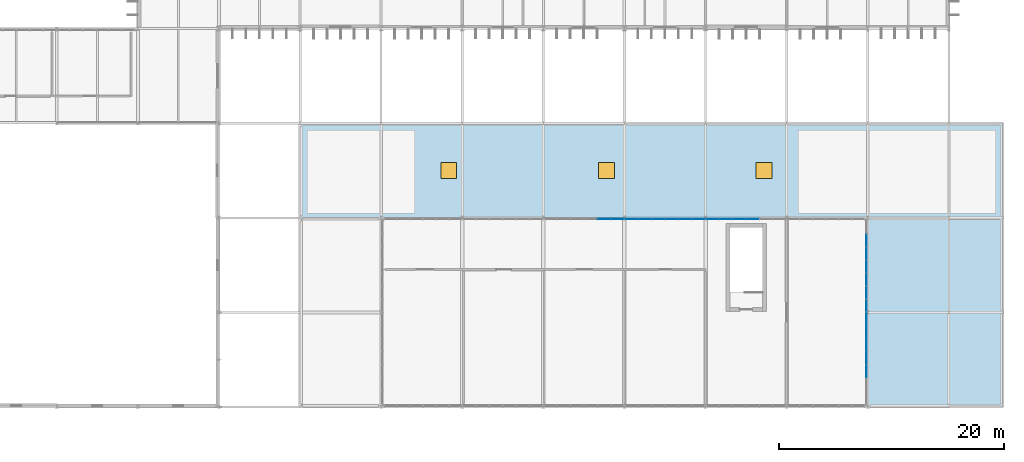
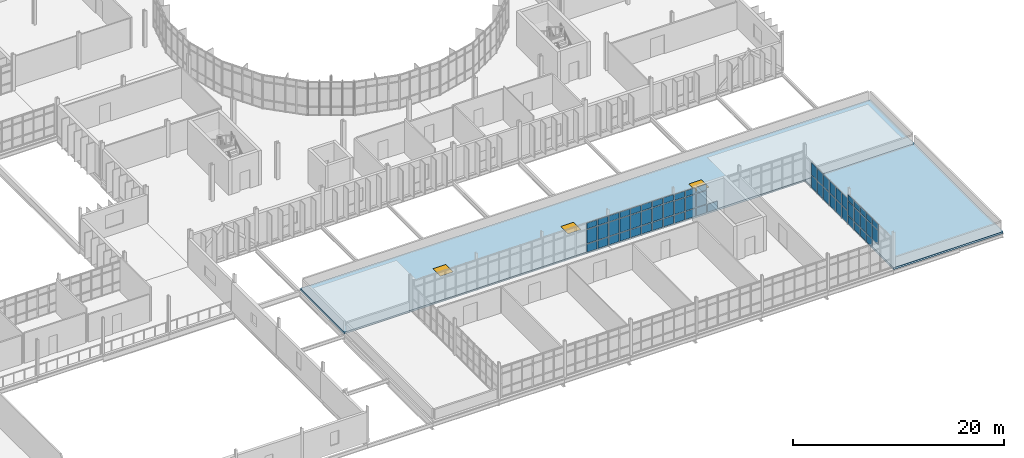
# One storey, part 80 of 119: 60 plates, 3 windows, 2 slabs, 3 openings, 5 elements without a shape of their own.
"""IFC4 building model written with IfcOpenShell, lengths in metres."""

from ifc_helpers import new_model, si_unit, direction, frame, origin, origin_2d, place, context, subcontext, project, spatial, polyline, rectangle, outline, extrude, material, layer, layer_set, type_object, element, fill, aggregate, save


model = new_model("IFC4")

# Units and contexts
model_context = context("Model", 3, precision=1e-05, world=origin(), true_north=direction((0.0, 1.0)))
body_context = subcontext(model_context, "Body", "Model", "MODEL_VIEW")
ifc_project = project(units=[si_unit("LENGTHUNIT", "METRE"), si_unit("AREAUNIT", "SQUARE_METRE"), si_unit("VOLUMEUNIT", "CUBIC_METRE"), si_unit("PLANEANGLEUNIT", "RADIAN"), si_unit("MASSUNIT", "GRAM", prefix="KILO")], contexts=[model_context])

# Site, building, storey
site_placement = place(None, origin())
site = spatial("IfcSite", under=ifc_project, at=site_placement, CompositionType="ELEMENT")
building_placement = place(site_placement, origin())
building = spatial("IfcBuilding", under=site, at=building_placement, Name="Qelthora Terrace Specialist Clinic", CompositionType="ELEMENT")
storey_placement = place(building_placement, frame((0.0, 0.0, 4.800048828125)))
storey = spatial("IfcBuildingStorey", under=building, at=storey_placement, Name="L01", CompositionType="ELEMENT", Elevation=4.800048828125)

# Curtain wall, plates
ifc_material_1 = material(Name="Aluminium anodized bronze", Category="aluminium")
curtain_wall_type = type_object("IfcCurtainWallType", Name="CW-CONS-UP", PredefinedType="NOTDEFINED", material=ifc_material_1)
curtain_wall_1_placement = place(storey_placement, origin())
curtain_wall_1 = element("IfcCurtainWall", 1, at=curtain_wall_1_placement, inside=storey, type_object=curtain_wall_type, Name="Curtain wall CW-L01-242", PredefinedType="NOTDEFINED")
ifc_material_2 = material(Name="Low-E triple-silver insulating glass", Category="glass")
ifc_layer_1 = layer(ifc_material_2, 0.035888671875)
ifc_layer_set_1 = layer_set([ifc_layer_1], Name="Low-E triple-silver insulating glass")
plate_type = type_object("IfcPlateType", Name="CWP-IGU-36", PredefinedType="CURTAIN_PANEL", material=ifc_layer_set_1)
plate_1_placement = place(storey_placement, frame((127.800048828125, 16.679931640625, 0.0849609375), z_axis=(0.0, 0.0, 1.0), x_axis=(1.0, 0.0, 0.0)))
plate_1 = element("IfcPlate", 2, at=plate_1_placement, type_object=plate_type, Name="CW-L01-242 glazed panel 13", PredefinedType="CURTAIN_PANEL", context=body_context, shape_type="SweptSolid", body=[
    extrude(rectangle(XDim=1.10009765625, YDim=0.035888671875, at=origin_2d()), origin(), (0.0, 0.0, 1.0), 0.919921875),
])
plate_2_placement = place(storey_placement, frame((127.800048828125, 16.679931640625, 1.0947265625), z_axis=(0.0, 0.0, 1.0), x_axis=(1.0, 0.0, 0.0)))
plate_2 = element("IfcPlate", 3, at=plate_2_placement, type_object=plate_type, Name="CW-L01-242 glazed panel 14", PredefinedType="CURTAIN_PANEL", context=body_context, shape_type="SweptSolid", body=[
    extrude(rectangle(XDim=1.10009765625, YDim=0.035888671875, at=origin_2d()), origin(), (0.0, 0.0, 1.0), 1.589111328125),
])
plate_3_placement = place(storey_placement, frame((127.800048828125, 16.679931640625, 2.77392578125), z_axis=(0.0, 0.0, 1.0), x_axis=(1.0, 0.0, 0.0)))
plate_3 = element("IfcPlate", 4, at=plate_3_placement, type_object=plate_type, Name="CW-L01-242 glazed panel 15", PredefinedType="CURTAIN_PANEL", context=body_context, shape_type="SweptSolid", body=[
    extrude(rectangle(XDim=1.10009765625, YDim=0.035888671875, at=origin_2d()), origin(), (0.0, 0.0, 1.0), 0.669921875),
])
plate_4_placement = place(storey_placement, frame((129.0, 16.679931640625, 0.0849609375), z_axis=(0.0, 0.0, 1.0), x_axis=(1.0, 0.0, 0.0)))
plate_4 = element("IfcPlate", 5, at=plate_4_placement, type_object=plate_type, Name="CW-L01-242 glazed panel 16", PredefinedType="CURTAIN_PANEL", context=body_context, shape_type="SweptSolid", body=[
    extrude(rectangle(XDim=1.10009765625, YDim=0.035888671875, at=origin_2d()), origin(), (0.0, 0.0, 1.0), 0.919921875),
])
plate_5_placement = place(storey_placement, frame((129.0, 16.679931640625, 1.0947265625), z_axis=(0.0, 0.0, 1.0), x_axis=(1.0, 0.0, 0.0)))
plate_5 = element("IfcPlate", 6, at=plate_5_placement, type_object=plate_type, Name="CW-L01-242 glazed panel 17", PredefinedType="CURTAIN_PANEL", context=body_context, shape_type="SweptSolid", body=[
    extrude(rectangle(XDim=1.10009765625, YDim=0.035888671875, at=origin_2d()), origin(), (0.0, 0.0, 1.0), 1.589111328125),
])
plate_6_placement = place(storey_placement, frame((129.0, 16.679931640625, 2.77392578125), z_axis=(0.0, 0.0, 1.0), x_axis=(1.0, 0.0, 0.0)))
plate_6 = element("IfcPlate", 7, at=plate_6_placement, type_object=plate_type, Name="CW-L01-242 glazed panel 18", PredefinedType="CURTAIN_PANEL", context=body_context, shape_type="SweptSolid", body=[
    extrude(rectangle(XDim=1.10009765625, YDim=0.035888671875, at=origin_2d()), origin(), (0.0, 0.0, 1.0), 0.669921875),
])
aggregate(curtain_wall_1, [plate_1, plate_2, plate_3, plate_4, plate_5, plate_6])

curtain_wall_2_placement = place(storey_placement, origin())
curtain_wall_2 = element("IfcCurtainWall", 8, at=curtain_wall_2_placement, inside=storey, type_object=curtain_wall_type, Name="Curtain wall CW-L01-243", PredefinedType="NOTDEFINED")
plate_7_placement = place(storey_placement, frame((130.199951171875, 16.679931640625, 0.0849609375), z_axis=(0.0, 0.0, 1.0), x_axis=(1.0, 0.0, 0.0)))
plate_7 = element("IfcPlate", 9, at=plate_7_placement, type_object=plate_type, Name="CW-L01-243 glazed panel 1", PredefinedType="CURTAIN_PANEL", context=body_context, shape_type="SweptSolid", body=[
    extrude(rectangle(XDim=1.10009765625, YDim=0.035888671875, at=origin_2d()), origin(), (0.0, 0.0, 1.0), 0.919921875),
])
plate_8_placement = place(storey_placement, frame((130.199951171875, 16.679931640625, 1.0947265625), z_axis=(0.0, 0.0, 1.0), x_axis=(1.0, 0.0, 0.0)))
plate_8 = element("IfcPlate", 10, at=plate_8_placement, type_object=plate_type, Name="CW-L01-243 glazed panel 2", PredefinedType="CURTAIN_PANEL", context=body_context, shape_type="SweptSolid", body=[
    extrude(rectangle(XDim=1.10009765625, YDim=0.035888671875, at=origin_2d()), origin(), (0.0, 0.0, 1.0), 1.589111328125),
])
plate_9_placement = place(storey_placement, frame((130.199951171875, 16.679931640625, 2.77392578125), z_axis=(0.0, 0.0, 1.0), x_axis=(1.0, 0.0, 0.0)))
plate_9 = element("IfcPlate", 11, at=plate_9_placement, type_object=plate_type, Name="CW-L01-243 glazed panel 3", PredefinedType="CURTAIN_PANEL", context=body_context, shape_type="SweptSolid", body=[
    extrude(rectangle(XDim=1.10009765625, YDim=0.035888671875, at=origin_2d()), origin(), (0.0, 0.0, 1.0), 0.669921875),
])
plate_10_placement = place(storey_placement, frame((131.39990234375, 16.679931640625, 0.0849609375), z_axis=(0.0, 0.0, 1.0), x_axis=(1.0, 0.0, 0.0)))
plate_10 = element("IfcPlate", 12, at=plate_10_placement, type_object=plate_type, Name="CW-L01-243 glazed panel 4", PredefinedType="CURTAIN_PANEL", context=body_context, shape_type="SweptSolid", body=[
    extrude(rectangle(XDim=1.10009765625, YDim=0.035888671875, at=origin_2d()), origin(), (0.0, 0.0, 1.0), 0.919921875),
])
plate_11_placement = place(storey_placement, frame((131.39990234375, 16.679931640625, 1.0947265625), z_axis=(0.0, 0.0, 1.0), x_axis=(1.0, 0.0, 0.0)))
plate_11 = element("IfcPlate", 13, at=plate_11_placement, type_object=plate_type, Name="CW-L01-243 glazed panel 5", PredefinedType="CURTAIN_PANEL", context=body_context, shape_type="SweptSolid", body=[
    extrude(rectangle(XDim=1.10009765625, YDim=0.035888671875, at=origin_2d()), origin(), (0.0, 0.0, 1.0), 1.589111328125),
])
plate_12_placement = place(storey_placement, frame((131.39990234375, 16.679931640625, 2.77392578125), z_axis=(0.0, 0.0, 1.0), x_axis=(1.0, 0.0, 0.0)))
plate_12 = element("IfcPlate", 14, at=plate_12_placement, type_object=plate_type, Name="CW-L01-243 glazed panel 6", PredefinedType="CURTAIN_PANEL", context=body_context, shape_type="SweptSolid", body=[
    extrude(rectangle(XDim=1.10009765625, YDim=0.035888671875, at=origin_2d()), origin(), (0.0, 0.0, 1.0), 0.669921875),
])
plate_13_placement = place(storey_placement, frame((132.60009765625, 16.679931640625, 0.0849609375), z_axis=(0.0, 0.0, 1.0), x_axis=(1.0, 0.0, 0.0)))
plate_13 = element("IfcPlate", 15, at=plate_13_placement, type_object=plate_type, Name="CW-L01-243 glazed panel 7", PredefinedType="CURTAIN_PANEL", context=body_context, shape_type="SweptSolid", body=[
    extrude(rectangle(XDim=1.10009765625, YDim=0.035888671875, at=origin_2d()), origin(), (0.0, 0.0, 1.0), 0.919921875),
])
plate_14_placement = place(storey_placement, frame((132.60009765625, 16.679931640625, 1.0947265625), z_axis=(0.0, 0.0, 1.0), x_axis=(1.0, 0.0, 0.0)))
plate_14 = element("IfcPlate", 16, at=plate_14_placement, type_object=plate_type, Name="CW-L01-243 glazed panel 8", PredefinedType="CURTAIN_PANEL", context=body_context, shape_type="SweptSolid", body=[
    extrude(rectangle(XDim=1.10009765625, YDim=0.035888671875, at=origin_2d()), origin(), (0.0, 0.0, 1.0), 1.589111328125),
])
plate_15_placement = place(storey_placement, frame((132.60009765625, 16.679931640625, 2.77392578125), z_axis=(0.0, 0.0, 1.0), x_axis=(1.0, 0.0, 0.0)))
plate_15 = element("IfcPlate", 17, at=plate_15_placement, type_object=plate_type, Name="CW-L01-243 glazed panel 9", PredefinedType="CURTAIN_PANEL", context=body_context, shape_type="SweptSolid", body=[
    extrude(rectangle(XDim=1.10009765625, YDim=0.035888671875, at=origin_2d()), origin(), (0.0, 0.0, 1.0), 0.669921875),
])
plate_16_placement = place(storey_placement, frame((133.800048828125, 16.679931640625, 0.0849609375), z_axis=(0.0, 0.0, 1.0), x_axis=(1.0, 0.0, 0.0)))
plate_16 = element("IfcPlate", 18, at=plate_16_placement, type_object=plate_type, Name="CW-L01-243 glazed panel 10", PredefinedType="CURTAIN_PANEL", context=body_context, shape_type="SweptSolid", body=[
    extrude(rectangle(XDim=1.10009765625, YDim=0.035888671875, at=origin_2d()), origin(), (0.0, 0.0, 1.0), 0.919921875),
])
plate_17_placement = place(storey_placement, frame((133.800048828125, 16.679931640625, 1.0947265625), z_axis=(0.0, 0.0, 1.0), x_axis=(1.0, 0.0, 0.0)))
plate_17 = element("IfcPlate", 19, at=plate_17_placement, type_object=plate_type, Name="CW-L01-243 glazed panel 11", PredefinedType="CURTAIN_PANEL", context=body_context, shape_type="SweptSolid", body=[
    extrude(rectangle(XDim=1.10009765625, YDim=0.035888671875, at=origin_2d()), origin(), (0.0, 0.0, 1.0), 1.589111328125),
])
plate_18_placement = place(storey_placement, frame((133.800048828125, 16.679931640625, 2.77392578125), z_axis=(0.0, 0.0, 1.0), x_axis=(1.0, 0.0, 0.0)))
plate_18 = element("IfcPlate", 20, at=plate_18_placement, type_object=plate_type, Name="CW-L01-243 glazed panel 12", PredefinedType="CURTAIN_PANEL", context=body_context, shape_type="SweptSolid", body=[
    extrude(rectangle(XDim=1.10009765625, YDim=0.035888671875, at=origin_2d()), origin(), (0.0, 0.0, 1.0), 0.669921875),
])
plate_19_placement = place(storey_placement, frame((135.0, 16.679931640625, 0.0849609375), z_axis=(0.0, 0.0, 1.0), x_axis=(1.0, 0.0, 0.0)))
plate_19 = element("IfcPlate", 21, at=plate_19_placement, type_object=plate_type, Name="CW-L01-243 glazed panel 13", PredefinedType="CURTAIN_PANEL", context=body_context, shape_type="SweptSolid", body=[
    extrude(rectangle(XDim=1.10009765625, YDim=0.035888671875, at=origin_2d()), origin(), (0.0, 0.0, 1.0), 0.919921875),
])
plate_20_placement = place(storey_placement, frame((135.0, 16.679931640625, 1.0947265625), z_axis=(0.0, 0.0, 1.0), x_axis=(1.0, 0.0, 0.0)))
plate_20 = element("IfcPlate", 22, at=plate_20_placement, type_object=plate_type, Name="CW-L01-243 glazed panel 14", PredefinedType="CURTAIN_PANEL", context=body_context, shape_type="SweptSolid", body=[
    extrude(rectangle(XDim=1.10009765625, YDim=0.035888671875, at=origin_2d()), origin(), (0.0, 0.0, 1.0), 1.589111328125),
])
plate_21_placement = place(storey_placement, frame((135.0, 16.679931640625, 2.77392578125), z_axis=(0.0, 0.0, 1.0), x_axis=(1.0, 0.0, 0.0)))
plate_21 = element("IfcPlate", 23, at=plate_21_placement, type_object=plate_type, Name="CW-L01-243 glazed panel 15", PredefinedType="CURTAIN_PANEL", context=body_context, shape_type="SweptSolid", body=[
    extrude(rectangle(XDim=1.10009765625, YDim=0.035888671875, at=origin_2d()), origin(), (0.0, 0.0, 1.0), 0.669921875),
])
plate_22_placement = place(storey_placement, frame((136.199951171875, 16.679931640625, 0.0849609375), z_axis=(0.0, 0.0, 1.0), x_axis=(1.0, 0.0, 0.0)))
plate_22 = element("IfcPlate", 24, at=plate_22_placement, type_object=plate_type, Name="CW-L01-243 glazed panel 16", PredefinedType="CURTAIN_PANEL", context=body_context, shape_type="SweptSolid", body=[
    extrude(rectangle(XDim=1.10009765625, YDim=0.035888671875, at=origin_2d()), origin(), (0.0, 0.0, 1.0), 0.919921875),
])
plate_23_placement = place(storey_placement, frame((136.199951171875, 16.679931640625, 1.0947265625), z_axis=(0.0, 0.0, 1.0), x_axis=(1.0, 0.0, 0.0)))
plate_23 = element("IfcPlate", 25, at=plate_23_placement, type_object=plate_type, Name="CW-L01-243 glazed panel 17", PredefinedType="CURTAIN_PANEL", context=body_context, shape_type="SweptSolid", body=[
    extrude(rectangle(XDim=1.10009765625, YDim=0.035888671875, at=origin_2d()), origin(), (0.0, 0.0, 1.0), 1.589111328125),
])
plate_24_placement = place(storey_placement, frame((136.199951171875, 16.679931640625, 2.77392578125), z_axis=(0.0, 0.0, 1.0), x_axis=(1.0, 0.0, 0.0)))
plate_24 = element("IfcPlate", 26, at=plate_24_placement, type_object=plate_type, Name="CW-L01-243 glazed panel 18", PredefinedType="CURTAIN_PANEL", context=body_context, shape_type="SweptSolid", body=[
    extrude(rectangle(XDim=1.10009765625, YDim=0.035888671875, at=origin_2d()), origin(), (0.0, 0.0, 1.0), 0.669921875),
])
aggregate(curtain_wall_2, [plate_7, plate_8, plate_9, plate_10, plate_11, plate_12, plate_13, plate_14, plate_15, plate_16, plate_17, plate_18, plate_19, plate_20, plate_21, plate_22, plate_23, plate_24])

curtain_wall_3_placement = place(storey_placement, origin())
curtain_wall_3 = element("IfcCurtainWall", 27, at=curtain_wall_3_placement, inside=storey, type_object=curtain_wall_type, Name="Curtain wall CW-L01-244", PredefinedType="NOTDEFINED")
plate_25_placement = place(storey_placement, frame((137.39990234375, 16.679931640625, 0.0849609375), z_axis=(0.0, 0.0, 1.0), x_axis=(1.0, 0.0, 0.0)))
plate_25 = element("IfcPlate", 28, at=plate_25_placement, type_object=plate_type, Name="CW-L01-244 glazed panel 1", PredefinedType="CURTAIN_PANEL", context=body_context, shape_type="SweptSolid", body=[
    extrude(rectangle(XDim=1.10009765625, YDim=0.035888671875, at=origin_2d()), origin(), (0.0, 0.0, 1.0), 0.919921875),
])
plate_26_placement = place(storey_placement, frame((137.39990234375, 16.679931640625, 1.094970703125), z_axis=(0.0, 0.0, 1.0), x_axis=(1.0, 0.0, 0.0)))
plate_26 = element("IfcPlate", 29, at=plate_26_placement, type_object=plate_type, Name="CW-L01-244 glazed panel 2", PredefinedType="CURTAIN_PANEL", context=body_context, shape_type="SweptSolid", body=[
    extrude(rectangle(XDim=1.10009765625, YDim=0.035888671875, at=origin_2d()), origin(), (0.0, 0.0, 1.0), 1.5419921875),
])
plate_27_placement = place(storey_placement, frame((137.39990234375, 16.679931640625, 2.72705078125), z_axis=(0.0, 0.0, 1.0), x_axis=(1.0, 0.0, 0.0)))
plate_27 = element("IfcPlate", 30, at=plate_27_placement, type_object=plate_type, Name="CW-L01-244 glazed panel 3", PredefinedType="CURTAIN_PANEL", context=body_context, shape_type="SweptSolid", body=[
    extrude(rectangle(XDim=1.10009765625, YDim=0.035888671875, at=origin_2d()), origin(), (0.0, 0.0, 1.0), 0.669921875),
])
plate_28_placement = place(storey_placement, frame((138.60009765625, 16.679931640625, 0.0849609375), z_axis=(0.0, 0.0, 1.0), x_axis=(1.0, 0.0, 0.0)))
plate_28 = element("IfcPlate", 31, at=plate_28_placement, type_object=plate_type, Name="CW-L01-244 glazed panel 4", PredefinedType="CURTAIN_PANEL", context=body_context, shape_type="SweptSolid", body=[
    extrude(rectangle(XDim=1.10009765625, YDim=0.035888671875, at=origin_2d()), origin(), (0.0, 0.0, 1.0), 0.919921875),
])
plate_29_placement = place(storey_placement, frame((138.60009765625, 16.679931640625, 1.094970703125), z_axis=(0.0, 0.0, 1.0), x_axis=(1.0, 0.0, 0.0)))
plate_29 = element("IfcPlate", 32, at=plate_29_placement, type_object=plate_type, Name="CW-L01-244 glazed panel 5", PredefinedType="CURTAIN_PANEL", context=body_context, shape_type="SweptSolid", body=[
    extrude(rectangle(XDim=1.10009765625, YDim=0.035888671875, at=origin_2d()), origin(), (0.0, 0.0, 1.0), 1.5419921875),
])
plate_30_placement = place(storey_placement, frame((138.60009765625, 16.679931640625, 2.72705078125), z_axis=(0.0, 0.0, 1.0), x_axis=(1.0, 0.0, 0.0)))
plate_30 = element("IfcPlate", 33, at=plate_30_placement, type_object=plate_type, Name="CW-L01-244 glazed panel 6", PredefinedType="CURTAIN_PANEL", context=body_context, shape_type="SweptSolid", body=[
    extrude(rectangle(XDim=1.10009765625, YDim=0.035888671875, at=origin_2d()), origin(), (0.0, 0.0, 1.0), 0.669921875),
])
plate_31_placement = place(storey_placement, frame((139.800048828125, 16.679931640625, 0.0849609375), z_axis=(0.0, 0.0, 1.0), x_axis=(1.0, 0.0, 0.0)))
plate_31 = element("IfcPlate", 34, at=plate_31_placement, type_object=plate_type, Name="CW-L01-244 glazed panel 7", PredefinedType="CURTAIN_PANEL", context=body_context, shape_type="SweptSolid", body=[
    extrude(rectangle(XDim=1.10009765625, YDim=0.035888671875, at=origin_2d()), origin(), (0.0, 0.0, 1.0), 0.919921875),
])
plate_32_placement = place(storey_placement, frame((139.800048828125, 16.679931640625, 1.094970703125), z_axis=(0.0, 0.0, 1.0), x_axis=(1.0, 0.0, 0.0)))
plate_32 = element("IfcPlate", 35, at=plate_32_placement, type_object=plate_type, Name="CW-L01-244 glazed panel 8", PredefinedType="CURTAIN_PANEL", context=body_context, shape_type="SweptSolid", body=[
    extrude(rectangle(XDim=1.10009765625, YDim=0.035888671875, at=origin_2d()), origin(), (0.0, 0.0, 1.0), 1.5419921875),
])
plate_33_placement = place(storey_placement, frame((139.800048828125, 16.679931640625, 2.72705078125), z_axis=(0.0, 0.0, 1.0), x_axis=(1.0, 0.0, 0.0)))
plate_33 = element("IfcPlate", 36, at=plate_33_placement, type_object=plate_type, Name="CW-L01-244 glazed panel 9", PredefinedType="CURTAIN_PANEL", context=body_context, shape_type="SweptSolid", body=[
    extrude(rectangle(XDim=1.10009765625, YDim=0.035888671875, at=origin_2d()), origin(), (0.0, 0.0, 1.0), 0.669921875),
])
plate_34_placement = place(storey_placement, frame((141.0, 16.679931640625, 0.0849609375), z_axis=(0.0, 0.0, 1.0), x_axis=(1.0, 0.0, 0.0)))
plate_34 = element("IfcPlate", 37, at=plate_34_placement, type_object=plate_type, Name="CW-L01-244 glazed panel 10", PredefinedType="CURTAIN_PANEL", context=body_context, shape_type="SweptSolid", body=[
    extrude(rectangle(XDim=1.10009765625, YDim=0.035888671875, at=origin_2d()), origin(), (0.0, 0.0, 1.0), 0.919921875),
])
aggregate(curtain_wall_3, [plate_25, plate_26, plate_27, plate_28, plate_29, plate_30, plate_31, plate_32, plate_33, plate_34])

curtain_wall_4_placement = place(storey_placement, origin())
curtain_wall_4 = element("IfcCurtainWall", 38, at=curtain_wall_4_placement, inside=storey, type_object=curtain_wall_type, Name="Curtain wall CW-L01-246", PredefinedType="NOTDEFINED")
plate_35_placement = place(storey_placement, frame((151.080078125, 3.167236328125, 1.0947265625), z_axis=(0.0, 0.0, 1.0), x_axis=(0.0, 1.0, 0.0)))
plate_35 = element("IfcPlate", 39, at=plate_35_placement, type_object=plate_type, Name="CW-L01-246 glazed panel 8", PredefinedType="CURTAIN_PANEL", context=body_context, shape_type="SweptSolid", body=[
    extrude(rectangle(XDim=1.062744140625, YDim=0.035888671875, at=origin_2d()), origin(), (0.0, 0.0, 1.0), 1.589111328125),
])
plate_36_placement = place(storey_placement, frame((151.080078125, 3.167236328125, 2.77392578125), z_axis=(0.0, 0.0, 1.0), x_axis=(0.0, 1.0, 0.0)))
plate_36 = element("IfcPlate", 40, at=plate_36_placement, type_object=plate_type, Name="CW-L01-246 glazed panel 9", PredefinedType="CURTAIN_PANEL", context=body_context, shape_type="SweptSolid", body=[
    extrude(rectangle(XDim=1.062744140625, YDim=0.035888671875, at=origin_2d()), origin(), (0.0, 0.0, 1.0), 0.669921875),
])
plate_37_placement = place(storey_placement, frame((151.080078125, 4.330078125, 0.0849609375), z_axis=(0.0, 0.0, 1.0), x_axis=(0.0, 1.0, 0.0)))
plate_37 = element("IfcPlate", 41, at=plate_37_placement, type_object=plate_type, Name="CW-L01-246 glazed panel 10", PredefinedType="CURTAIN_PANEL", context=body_context, shape_type="SweptSolid", body=[
    extrude(rectangle(XDim=1.062744140625, YDim=0.035888671875, at=origin_2d()), origin(), (0.0, 0.0, 1.0), 0.919921875),
])
plate_38_placement = place(storey_placement, frame((151.080078125, 4.330078125, 1.0947265625), z_axis=(0.0, 0.0, 1.0), x_axis=(0.0, 1.0, 0.0)))
plate_38 = element("IfcPlate", 42, at=plate_38_placement, type_object=plate_type, Name="CW-L01-246 glazed panel 11", PredefinedType="CURTAIN_PANEL", context=body_context, shape_type="SweptSolid", body=[
    extrude(rectangle(XDim=1.062744140625, YDim=0.035888671875, at=origin_2d()), origin(), (0.0, 0.0, 1.0), 1.589111328125),
])
plate_39_placement = place(storey_placement, frame((151.080078125, 4.330078125, 2.77392578125), z_axis=(0.0, 0.0, 1.0), x_axis=(0.0, 1.0, 0.0)))
plate_39 = element("IfcPlate", 43, at=plate_39_placement, type_object=plate_type, Name="CW-L01-246 glazed panel 12", PredefinedType="CURTAIN_PANEL", context=body_context, shape_type="SweptSolid", body=[
    extrude(rectangle(XDim=1.062744140625, YDim=0.035888671875, at=origin_2d()), origin(), (0.0, 0.0, 1.0), 0.669921875),
])
plate_40_placement = place(storey_placement, frame((151.080078125, 5.492919921875, 0.0849609375), z_axis=(0.0, 0.0, 1.0), x_axis=(0.0, 1.0, 0.0)))
plate_40 = element("IfcPlate", 44, at=plate_40_placement, type_object=plate_type, Name="CW-L01-246 glazed panel 13", PredefinedType="CURTAIN_PANEL", context=body_context, shape_type="SweptSolid", body=[
    extrude(rectangle(XDim=1.062744140625, YDim=0.035888671875, at=origin_2d()), origin(), (0.0, 0.0, 1.0), 0.919921875),
])
plate_41_placement = place(storey_placement, frame((151.080078125, 5.492919921875, 1.0947265625), z_axis=(0.0, 0.0, 1.0), x_axis=(0.0, 1.0, 0.0)))
plate_41 = element("IfcPlate", 45, at=plate_41_placement, type_object=plate_type, Name="CW-L01-246 glazed panel 14", PredefinedType="CURTAIN_PANEL", context=body_context, shape_type="SweptSolid", body=[
    extrude(rectangle(XDim=1.062744140625, YDim=0.035888671875, at=origin_2d()), origin(), (0.0, 0.0, 1.0), 1.589111328125),
])
plate_42_placement = place(storey_placement, frame((151.080078125, 5.492919921875, 2.77392578125), z_axis=(0.0, 0.0, 1.0), x_axis=(0.0, 1.0, 0.0)))
plate_42 = element("IfcPlate", 46, at=plate_42_placement, type_object=plate_type, Name="CW-L01-246 glazed panel 15", PredefinedType="CURTAIN_PANEL", context=body_context, shape_type="SweptSolid", body=[
    extrude(rectangle(XDim=1.062744140625, YDim=0.035888671875, at=origin_2d()), origin(), (0.0, 0.0, 1.0), 0.669921875),
])
plate_43_placement = place(storey_placement, frame((151.080078125, 6.65576171875, 0.0849609375), z_axis=(0.0, 0.0, 1.0), x_axis=(0.0, 1.0, 0.0)))
plate_43 = element("IfcPlate", 47, at=plate_43_placement, type_object=plate_type, Name="CW-L01-246 glazed panel 16", PredefinedType="CURTAIN_PANEL", context=body_context, shape_type="SweptSolid", body=[
    extrude(rectangle(XDim=1.062744140625, YDim=0.035888671875, at=origin_2d()), origin(), (0.0, 0.0, 1.0), 0.919921875),
])
plate_44_placement = place(storey_placement, frame((151.080078125, 6.65576171875, 1.0947265625), z_axis=(0.0, 0.0, 1.0), x_axis=(0.0, 1.0, 0.0)))
plate_44 = element("IfcPlate", 48, at=plate_44_placement, type_object=plate_type, Name="CW-L01-246 glazed panel 17", PredefinedType="CURTAIN_PANEL", context=body_context, shape_type="SweptSolid", body=[
    extrude(rectangle(XDim=1.062744140625, YDim=0.035888671875, at=origin_2d()), origin(), (0.0, 0.0, 1.0), 1.589111328125),
])
plate_45_placement = place(storey_placement, frame((151.080078125, 6.65576171875, 2.77392578125), z_axis=(0.0, 0.0, 1.0), x_axis=(0.0, 1.0, 0.0)))
plate_45 = element("IfcPlate", 49, at=plate_45_placement, type_object=plate_type, Name="CW-L01-246 glazed panel 18", PredefinedType="CURTAIN_PANEL", context=body_context, shape_type="SweptSolid", body=[
    extrude(rectangle(XDim=1.062744140625, YDim=0.035888671875, at=origin_2d()), origin(), (0.0, 0.0, 1.0), 0.669921875),
])
plate_46_placement = place(storey_placement, frame((151.080078125, 7.818603515625, 0.0849609375), z_axis=(0.0, 0.0, 1.0), x_axis=(0.0, 1.0, 0.0)))
plate_46 = element("IfcPlate", 50, at=plate_46_placement, type_object=plate_type, Name="CW-L01-246 glazed panel 19", PredefinedType="CURTAIN_PANEL", context=body_context, shape_type="SweptSolid", body=[
    extrude(rectangle(XDim=1.062744140625, YDim=0.035888671875, at=origin_2d()), origin(), (0.0, 0.0, 1.0), 0.919921875),
])
plate_47_placement = place(storey_placement, frame((151.080078125, 7.818603515625, 1.0947265625), z_axis=(0.0, 0.0, 1.0), x_axis=(0.0, 1.0, 0.0)))
plate_47 = element("IfcPlate", 51, at=plate_47_placement, type_object=plate_type, Name="CW-L01-246 glazed panel 20", PredefinedType="CURTAIN_PANEL", context=body_context, shape_type="SweptSolid", body=[
    extrude(rectangle(XDim=1.062744140625, YDim=0.035888671875, at=origin_2d()), origin(), (0.0, 0.0, 1.0), 1.589111328125),
])
plate_48_placement = place(storey_placement, frame((151.080078125, 7.818603515625, 2.77392578125), z_axis=(0.0, 0.0, 1.0), x_axis=(0.0, 1.0, 0.0)))
plate_48 = element("IfcPlate", 52, at=plate_48_placement, type_object=plate_type, Name="CW-L01-246 glazed panel 21", PredefinedType="CURTAIN_PANEL", context=body_context, shape_type="SweptSolid", body=[
    extrude(rectangle(XDim=1.062744140625, YDim=0.035888671875, at=origin_2d()), origin(), (0.0, 0.0, 1.0), 0.669921875),
])
aggregate(curtain_wall_4, [plate_35, plate_36, plate_37, plate_38, plate_39, plate_40, plate_41, plate_42, plate_43, plate_44, plate_45, plate_46, plate_47, plate_48])

curtain_wall_5_placement = place(storey_placement, origin())
curtain_wall_5 = element("IfcCurtainWall", 53, at=curtain_wall_5_placement, inside=storey, type_object=curtain_wall_type, Name="Curtain wall CW-L01-247", PredefinedType="NOTDEFINED")
plate_49_placement = place(storey_placement, frame((151.080078125, 8.9814453125, 0.0849609375), z_axis=(0.0, 0.0, 1.0), x_axis=(0.0, 1.0, 0.0)))
plate_49 = element("IfcPlate", 54, at=plate_49_placement, type_object=plate_type, Name="CW-L01-247 glazed panel 1", PredefinedType="CURTAIN_PANEL", context=body_context, shape_type="SweptSolid", body=[
    extrude(rectangle(XDim=1.062744140625, YDim=0.035888671875, at=origin_2d()), origin(), (0.0, 0.0, 1.0), 1.37744140625),
])
plate_50_placement = place(storey_placement, frame((151.080078125, 8.9814453125, 1.552490234375), z_axis=(0.0, 0.0, 1.0), x_axis=(0.0, 1.0, 0.0)))
plate_50 = element("IfcPlate", 55, at=plate_50_placement, type_object=plate_type, Name="CW-L01-247 glazed panel 2", PredefinedType="CURTAIN_PANEL", context=body_context, shape_type="SweptSolid", body=[
    extrude(rectangle(XDim=1.062744140625, YDim=0.035888671875, at=origin_2d()), origin(), (0.0, 0.0, 1.0), 1.37744140625),
])
plate_51_placement = place(storey_placement, frame((151.080078125, 10.144287109375, 0.0849609375), z_axis=(0.0, 0.0, 1.0), x_axis=(0.0, 1.0, 0.0)))
plate_51 = element("IfcPlate", 56, at=plate_51_placement, type_object=plate_type, Name="CW-L01-247 glazed panel 3", PredefinedType="CURTAIN_PANEL", context=body_context, shape_type="SweptSolid", body=[
    extrude(rectangle(XDim=1.062744140625, YDim=0.035888671875, at=origin_2d()), origin(), (0.0, 0.0, 1.0), 1.37744140625),
])
plate_52_placement = place(storey_placement, frame((151.080078125, 10.144287109375, 1.552490234375), z_axis=(0.0, 0.0, 1.0), x_axis=(0.0, 1.0, 0.0)))
plate_52 = element("IfcPlate", 57, at=plate_52_placement, type_object=plate_type, Name="CW-L01-247 glazed panel 4", PredefinedType="CURTAIN_PANEL", context=body_context, shape_type="SweptSolid", body=[
    extrude(rectangle(XDim=1.062744140625, YDim=0.035888671875, at=origin_2d()), origin(), (0.0, 0.0, 1.0), 1.37744140625),
])
plate_53_placement = place(storey_placement, frame((151.080078125, 11.30712890625, 0.0849609375), z_axis=(0.0, 0.0, 1.0), x_axis=(0.0, 1.0, 0.0)))
plate_53 = element("IfcPlate", 58, at=plate_53_placement, type_object=plate_type, Name="CW-L01-247 glazed panel 5", PredefinedType="CURTAIN_PANEL", context=body_context, shape_type="SweptSolid", body=[
    extrude(rectangle(XDim=1.062744140625, YDim=0.035888671875, at=origin_2d()), origin(), (0.0, 0.0, 1.0), 1.37744140625),
])
plate_54_placement = place(storey_placement, frame((151.080078125, 11.30712890625, 1.552490234375), z_axis=(0.0, 0.0, 1.0), x_axis=(0.0, 1.0, 0.0)))
plate_54 = element("IfcPlate", 59, at=plate_54_placement, type_object=plate_type, Name="CW-L01-247 glazed panel 6", PredefinedType="CURTAIN_PANEL", context=body_context, shape_type="SweptSolid", body=[
    extrude(rectangle(XDim=1.062744140625, YDim=0.035888671875, at=origin_2d()), origin(), (0.0, 0.0, 1.0), 1.37744140625),
])
plate_55_placement = place(storey_placement, frame((151.080078125, 12.469970703125, 0.0849609375), z_axis=(0.0, 0.0, 1.0), x_axis=(0.0, 1.0, 0.0)))
plate_55 = element("IfcPlate", 60, at=plate_55_placement, type_object=plate_type, Name="CW-L01-247 glazed panel 7", PredefinedType="CURTAIN_PANEL", context=body_context, shape_type="SweptSolid", body=[
    extrude(rectangle(XDim=1.062744140625, YDim=0.035888671875, at=origin_2d()), origin(), (0.0, 0.0, 1.0), 1.37744140625),
])
plate_56_placement = place(storey_placement, frame((151.080078125, 12.469970703125, 1.552490234375), z_axis=(0.0, 0.0, 1.0), x_axis=(0.0, 1.0, 0.0)))
plate_56 = element("IfcPlate", 61, at=plate_56_placement, type_object=plate_type, Name="CW-L01-247 glazed panel 8", PredefinedType="CURTAIN_PANEL", context=body_context, shape_type="SweptSolid", body=[
    extrude(rectangle(XDim=1.062744140625, YDim=0.035888671875, at=origin_2d()), origin(), (0.0, 0.0, 1.0), 1.37744140625),
])
plate_57_placement = place(storey_placement, frame((151.080078125, 13.6328125, 0.0849609375), z_axis=(0.0, 0.0, 1.0), x_axis=(0.0, 1.0, 0.0)))
plate_57 = element("IfcPlate", 62, at=plate_57_placement, type_object=plate_type, Name="CW-L01-247 glazed panel 9", PredefinedType="CURTAIN_PANEL", context=body_context, shape_type="SweptSolid", body=[
    extrude(rectangle(XDim=1.062744140625, YDim=0.035888671875, at=origin_2d()), origin(), (0.0, 0.0, 1.0), 1.37744140625),
])
plate_58_placement = place(storey_placement, frame((151.080078125, 13.6328125, 1.552490234375), z_axis=(0.0, 0.0, 1.0), x_axis=(0.0, 1.0, 0.0)))
plate_58 = element("IfcPlate", 63, at=plate_58_placement, type_object=plate_type, Name="CW-L01-247 glazed panel 10", PredefinedType="CURTAIN_PANEL", context=body_context, shape_type="SweptSolid", body=[
    extrude(rectangle(XDim=1.062744140625, YDim=0.035888671875, at=origin_2d()), origin(), (0.0, 0.0, 1.0), 1.37744140625),
])
plate_59_placement = place(storey_placement, frame((151.080078125, 14.795654296875, 0.0849609375), z_axis=(0.0, 0.0, 1.0), x_axis=(0.0, 1.0, 0.0)))
plate_59 = element("IfcPlate", 64, at=plate_59_placement, type_object=plate_type, Name="CW-L01-247 glazed panel 11", PredefinedType="CURTAIN_PANEL", context=body_context, shape_type="SweptSolid", body=[
    extrude(rectangle(XDim=1.062744140625, YDim=0.035888671875, at=origin_2d()), origin(), (0.0, 0.0, 1.0), 1.37744140625),
])
plate_60_placement = place(storey_placement, frame((151.080078125, 14.795654296875, 1.552490234375), z_axis=(0.0, 0.0, 1.0), x_axis=(0.0, 1.0, 0.0)))
plate_60 = element("IfcPlate", 65, at=plate_60_placement, type_object=plate_type, Name="CW-L01-247 glazed panel 12", PredefinedType="CURTAIN_PANEL", context=body_context, shape_type="SweptSolid", body=[
    extrude(rectangle(XDim=1.062744140625, YDim=0.035888671875, at=origin_2d()), origin(), (0.0, 0.0, 1.0), 1.37744140625),
])
aggregate(curtain_wall_5, [plate_49, plate_50, plate_51, plate_52, plate_53, plate_54, plate_55, plate_56, plate_57, plate_58, plate_59, plate_60])

# Slab, openings, windows
ifc_material_3 = material(Name="Concrete C30/37", Category="concrete")
ifc_layer_2 = layer(ifc_material_3, 0.215087890625)
ifc_layer_set_2 = layer_set([ifc_layer_2], Name="Concrete C30/37")
slab_type = type_object("IfcSlabType", Name="SLB-ROOF-150-ZINC", PredefinedType="ROOF", material=ifc_layer_set_2)
slab_1_placement = place(storey_placement, frame((0.0, 0.0, -0.215087890625)))
slab_1 = element("IfcSlab", 66, at=slab_1_placement, inside=storey, type_object=slab_type, Name="V3 lower glasshouse roof slab north", PredefinedType="ROOF", context=body_context, shape_type="SweptSolid", body=[
    extrude(outline(polyline([(100.800048828125, 16.800048828125), (163.199951171875, 16.800048828125), (163.199951171875, 25.199951171875), (100.800048828125, 25.199951171875), (100.800048828125, 16.800048828125)])), origin(), (0.0, 0.0, 1.0), 0.215087890625),
])
opening_1_placement = place(slab_1_placement, frame((114.0, 21.0, 0.0)))
opening_1 = element("IfcOpeningElement", 67, at=opening_1_placement, cuts=slab_1, Name="Opening SK-L01-01", PredefinedType="OPENING", context=body_context, shape_type="SweptSolid", body=[
    extrude(rectangle(XDim=1.39990234375, YDim=1.39990234375, at=origin_2d()), frame((0.0, 0.0, -0.010009765625)), (0.0, 0.0, 1.0), 0.235107421875),
])
opening_2_placement = place(slab_1_placement, frame((128.0, 21.0, 0.0)))
opening_2 = element("IfcOpeningElement", 68, at=opening_2_placement, cuts=slab_1, Name="Opening SK-L01-02", PredefinedType="OPENING", context=body_context, shape_type="SweptSolid", body=[
    extrude(rectangle(XDim=1.39990234375, YDim=1.39990234375, at=origin_2d()), frame((0.0, 0.0, -0.010009765625)), (0.0, 0.0, 1.0), 0.235107421875),
])
opening_3_placement = place(slab_1_placement, frame((142.0, 21.0, 0.0)))
opening_3 = element("IfcOpeningElement", 69, at=opening_3_placement, cuts=slab_1, Name="Opening SK-L01-03", PredefinedType="OPENING", context=body_context, shape_type="SweptSolid", body=[
    extrude(rectangle(XDim=1.39990234375, YDim=1.39990234375, at=origin_2d()), frame((0.0, 0.0, -0.010009765625)), (0.0, 0.0, 1.0), 0.235107421875),
])
window_type = type_object("IfcWindowType", Name="SKY-1400X1400", PartitioningType="SINGLE_PANEL", PredefinedType="SKYLIGHT", material=ifc_material_2)
window_1_placement = place(opening_1_placement, frame((0.0, 0.0, 0.1650390625)))
window_1 = element("IfcWindow", 70, at=window_1_placement, inside=storey, type_object=window_type, Name="Roof skylight SK-L01-01", OverallHeight=1.39990234375, OverallWidth=1.39990234375, PartitioningType="SINGLE_PANEL", PredefinedType="SKYLIGHT", context=body_context, shape_type="SweptSolid", body=[
    extrude(rectangle(XDim=1.39990234375, YDim=1.39990234375, at=origin_2d()), origin(), (0.0, 0.0, 1.0), 0.050048828125),
])
fill(opening_1, window_1)
window_2_placement = place(opening_2_placement, frame((0.0, 0.0, 0.1650390625)))
window_2 = element("IfcWindow", 71, at=window_2_placement, inside=storey, type_object=window_type, Name="Roof skylight SK-L01-02", OverallHeight=1.39990234375, OverallWidth=1.39990234375, PartitioningType="SINGLE_PANEL", PredefinedType="SKYLIGHT", context=body_context, shape_type="SweptSolid", body=[
    extrude(rectangle(XDim=1.39990234375, YDim=1.39990234375, at=origin_2d()), origin(), (0.0, 0.0, 1.0), 0.050048828125),
])
fill(opening_2, window_2)
window_3_placement = place(opening_3_placement, frame((0.0, 0.0, 0.1650390625)))
window_3 = element("IfcWindow", 72, at=window_3_placement, inside=storey, type_object=window_type, Name="Roof skylight SK-L01-03", OverallHeight=1.39990234375, OverallWidth=1.39990234375, PartitioningType="SINGLE_PANEL", PredefinedType="SKYLIGHT", context=body_context, shape_type="SweptSolid", body=[
    extrude(rectangle(XDim=1.39990234375, YDim=1.39990234375, at=origin_2d()), origin(), (0.0, 0.0, 1.0), 0.050048828125),
])
fill(opening_3, window_3)

# Slab
slab_2_placement = place(storey_placement, frame((0.0, 0.0, -0.215087890625)))
element("IfcSlab", 73, at=slab_2_placement, inside=storey, type_object=slab_type, Name="V3 east colonnade roof slab", PredefinedType="ROOF", context=body_context, shape_type="SweptSolid", body=[
    extrude(outline(polyline([(151.199951171875, 0.0), (163.199951171875, 0.0), (163.199951171875, 16.800048828125), (151.199951171875, 16.800048828125), (151.199951171875, 0.0)])), origin(), (0.0, 0.0, 1.0), 0.215087890625),
])

save(model, "model.ifc")
